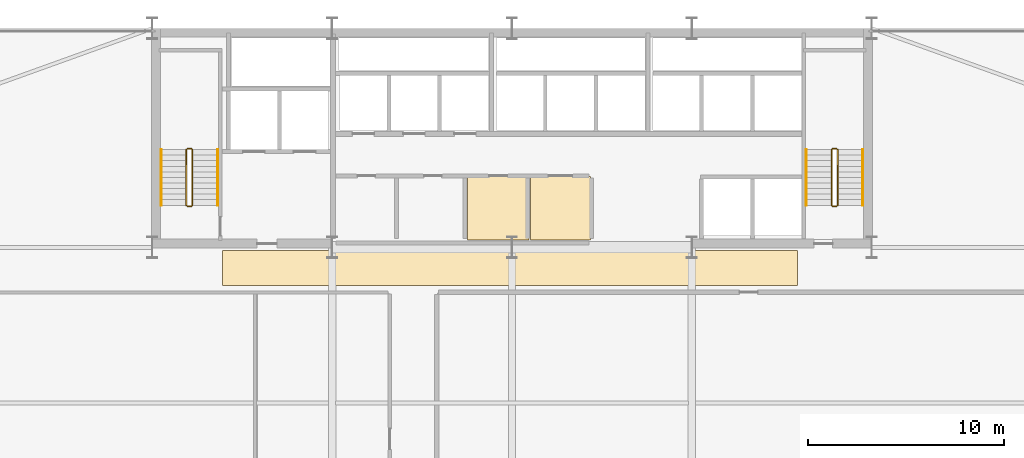
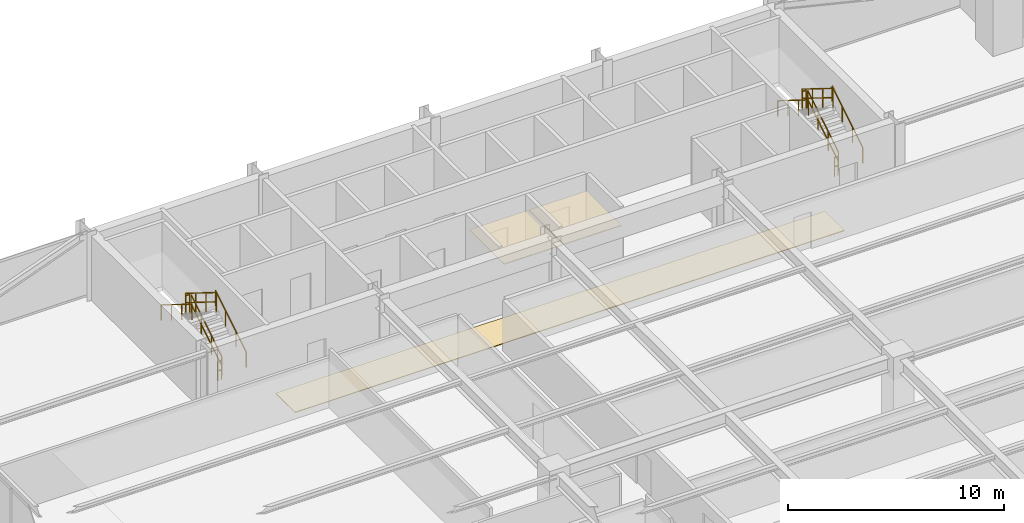
# One storey, part 29 of 29: 12 railings, 3 coverings.
"""IFC4 building model written with IfcOpenShell, lengths in metres."""

from ifc_helpers import new_model, si_unit, direction, frame, origin, origin_2d, place, context, subcontext, project, spatial, polyline, rectangle, outline, extrude, material, layer, layer_set, type_object, element, save


model = new_model("IFC4")

# Units and contexts
model_context = context("Model", 3, precision=1e-05, world=origin(), true_north=direction((0.0, 1.0)))
body_context = subcontext(model_context, "Body", "Model", "MODEL_VIEW")
ifc_project = project(units=[si_unit("LENGTHUNIT", "METRE"), si_unit("AREAUNIT", "SQUARE_METRE"), si_unit("VOLUMEUNIT", "CUBIC_METRE"), si_unit("PLANEANGLEUNIT", "RADIAN"), si_unit("MASSUNIT", "GRAM", prefix="KILO")], contexts=[model_context])

# Site, building, storey
site_placement = place(None, origin())
site = spatial("IfcSite", under=ifc_project, at=site_placement, CompositionType="ELEMENT")
building_placement = place(site_placement, origin())
building = spatial("IfcBuilding", under=site, at=building_placement, Name="Varnel Quay Broadcast Tower", CompositionType="ELEMENT")
storey_placement = place(building_placement, frame((0.0, 0.0, 74.39990234375)))
storey = spatial("IfcBuildingStorey", under=building, at=storey_placement, Name="L17", CompositionType="ELEMENT", Elevation=74.39990234375)

# Coverings
ifc_material_1 = material(Name="Micro-Perforated Acoustic Ceiling Tile")
ifc_layer_1 = layer(ifc_material_1, 0.0400390625, Name="Micro-Perforated Acoustic Ceiling Tile")
ifc_layer_set_1 = layer_set([ifc_layer_1], Name="Micro-Perforated Acoustic Ceiling Tile")
covering_type_1 = type_object("IfcCoveringType", Name="Cov_AcousticCeiling", PredefinedType="CEILING", material=ifc_layer_set_1)
covering_1_placement = place(storey_placement, frame((0.0, 0.0, 2.580078125)))
element("IfcCovering", 1, at=covering_1_placement, inside=storey, type_object=covering_type_1, Name="L17 Broadcast First-Aid & Quiet Room Acoustic Ceiling", PredefinedType="CEILING", context=body_context, shape_type="SweptSolid", body=[
    extrude(outline(polyline([(31.735107421875, 35.985107421875), (34.864990234375, 35.985107421875), (34.864990234375, 39.215087890625), (31.735107421875, 39.215087890625), (31.735107421875, 35.985107421875)])), origin(), (0.0, 0.0, 1.0), 0.0400390625),
])
covering_2_placement = place(storey_placement, frame((0.0, 0.0, 2.580078125)))
element("IfcCovering", 2, at=covering_2_placement, inside=storey, type_object=covering_type_1, Name="L17 Zone Lighting Dimmer Room Acoustic Ceiling", PredefinedType="CEILING", context=body_context, shape_type="SweptSolid", body=[
    extrude(outline(polyline([(34.93505859375, 35.985107421875), (38.014892578125, 35.985107421875), (38.014892578125, 39.215087890625), (34.93505859375, 39.215087890625), (34.93505859375, 35.985107421875)])), origin(), (0.0, 0.0, 1.0), 0.0400390625),
])
ifc_material_2 = material(Name="Polished Terrazzo & Broadcast Raised Flooring")
ifc_layer_2 = layer(ifc_material_2, 0.0400390625, Name="Polished Terrazzo & Broadcast Raised Flooring")
ifc_layer_set_2 = layer_set([ifc_layer_2], Name="Polished Terrazzo & Broadcast Raised Flooring")
covering_type_2 = type_object("IfcCoveringType", Name="Cov_TerrazzoFloor", PredefinedType="FLOORING", material=ifc_layer_set_2)
covering_3_placement = place(storey_placement, origin())
element("IfcCovering", 3, at=covering_3_placement, inside=storey, type_object=covering_type_2, Name="L17 Corridor Terrazzo Flooring", PredefinedType="FLOORING", context=body_context, shape_type="SweptSolid", body=[
    extrude(outline(polyline([(19.199951171875, 33.64990234375), (48.60009765625, 33.64990234375), (48.60009765625, 35.449951171875), (19.199951171875, 35.449951171875), (19.199951171875, 33.64990234375)])), origin(), (0.0, 0.0, 1.0), 0.0400390625),
])

# Railings
ifc_material_3 = material(Name="Painted Steel Guard and Handrail CSA G40.21 350W", Category="steel")
railing_type_1 = type_object("IfcRailingType", Name="Rail_StairGuard1100", PredefinedType="GUARDRAIL", material=ifc_material_3)
railing_1_placement = place(storey_placement, frame((17.64990234375, 37.75, 0.177490234375)))
element("IfcRailing", 4, at=railing_1_placement, inside=storey, type_object=railing_type_1, Name="L17 ST-01 stair guard 1", PredefinedType="GUARDRAIL", context=body_context, shape_type="SweptSolid", body=[
    extrude(rectangle(XDim=0.048095703125, YDim=0.048095703125, at=origin_2d()), frame((0.0, 0.0, 1.076171875), z_axis=(0.0, 0.849148672731, 0.528153890072), x_axis=(-1.0, 0.0, 0.0)), (0.0, 0.0, 1.0), 3.3564453125),
    extrude(rectangle(XDim=0.048095703125, YDim=0.048095703125, at=origin_2d()), frame((0.0, 0.0, 0.550048828125), z_axis=(0.0, 0.849148672731, 0.528153890072), x_axis=(-1.0, 0.0, 0.0)), (0.0, 0.0, 1.0), 3.3564453125),
    extrude(rectangle(XDim=0.0419921875, YDim=0.0419921875, at=origin_2d()), origin(), (0.0, 0.0, 1.0), 1.052001953125),
    extrude(rectangle(XDim=0.0419921875, YDim=0.0419921875, at=origin_2d()), frame((0.0, 0.949951171875, 0.5908203125)), (0.0, 0.0, 1.0), 1.052001953125),
    extrude(rectangle(XDim=0.0419921875, YDim=0.0419921875, at=origin_2d()), frame((0.0, 1.900146484375, 1.181884765625)), (0.0, 0.0, 1.0), 1.052001953125),
    extrude(rectangle(XDim=0.0419921875, YDim=0.0419921875, at=origin_2d()), frame((0.0, 2.85009765625, 1.772705078125)), (0.0, 0.0, 1.0), 1.052001953125),
])
railing_2_placement = place(storey_placement, frame((17.60009765625, 40.64990234375, 1.9501953125)))
element("IfcRailing", 5, at=railing_2_placement, inside=storey, type_object=railing_type_1, Name="L17 ST-01 stair guard 2", PredefinedType="GUARDRAIL", context=body_context, shape_type="SweptSolid", body=[
    extrude(rectangle(XDim=0.048095703125, YDim=0.048095703125, at=origin_2d()), frame((0.0, 0.0, 1.076171875), z_axis=(-1.0, 0.0, 0.0), x_axis=(0.0, -1.0, 0.0)), (0.0, 0.0, 1.0), 0.2001953125),
    extrude(rectangle(XDim=0.048095703125, YDim=0.048095703125, at=origin_2d()), frame((0.0, 0.0, 0.550048828125), z_axis=(-1.0, 0.0, 0.0), x_axis=(0.0, -1.0, 0.0)), (0.0, 0.0, 1.0), 0.2001953125),
    extrude(rectangle(XDim=0.0419921875, YDim=0.0419921875, at=origin_2d()), origin(), (0.0, 0.0, 1.0), 1.052001953125),
    extrude(rectangle(XDim=0.0419921875, YDim=0.0419921875, at=origin_2d()), frame((-0.2001953125, 0.0, 0.0)), (0.0, 0.0, 1.0), 1.052001953125),
])
railing_3_placement = place(storey_placement, frame((17.35009765625, 40.60009765625, 2.12744140625)))
element("IfcRailing", 6, at=railing_3_placement, inside=storey, type_object=railing_type_1, Name="L17 ST-01 stair guard 3", PredefinedType="GUARDRAIL", context=body_context, shape_type="SweptSolid", body=[
    extrude(rectangle(XDim=0.048095703125, YDim=0.048095703125, at=origin_2d()), frame((0.0, 0.0, 1.076171875), z_axis=(0.0, -0.849148672731, 0.528153890072), x_axis=(1.0, 0.0, 0.0)), (0.0, 0.0, 1.0), 3.3564453125),
    extrude(rectangle(XDim=0.048095703125, YDim=0.048095703125, at=origin_2d()), frame((0.0, 0.0, 0.550048828125), z_axis=(0.0, -0.849148672731, 0.528153890072), x_axis=(1.0, 0.0, 0.0)), (0.0, 0.0, 1.0), 3.3564453125),
    extrude(rectangle(XDim=0.0419921875, YDim=0.0419921875, at=origin_2d()), origin(), (0.0, 0.0, 1.0), 1.052001953125),
    extrude(rectangle(XDim=0.0419921875, YDim=0.0419921875, at=origin_2d()), frame((0.0, -0.949951171875, 0.5908203125)), (0.0, 0.0, 1.0), 1.052001953125),
    extrude(rectangle(XDim=0.0419921875, YDim=0.0419921875, at=origin_2d()), frame((0.0, -1.900146484375, 1.181884765625)), (0.0, 0.0, 1.0), 1.052001953125),
    extrude(rectangle(XDim=0.0419921875, YDim=0.0419921875, at=origin_2d()), frame((0.0, -2.85009765625, 1.772705078125)), (0.0, 0.0, 1.0), 1.052001953125),
])
railing_4_placement = place(storey_placement, frame((17.60009765625, 37.699951171875, 0.0)))
element("IfcRailing", 7, at=railing_4_placement, inside=storey, type_object=railing_type_1, Name="L17 ST-01 stair guard 4", PredefinedType="GUARDRAIL", context=body_context, shape_type="SweptSolid", body=[
    extrude(rectangle(XDim=0.048095703125, YDim=0.048095703125, at=origin_2d()), frame((0.0, 0.0, 1.076171875), z_axis=(-1.0, 0.0, 0.0), x_axis=(0.0, -1.0, 0.0)), (0.0, 0.0, 1.0), 0.2001953125),
    extrude(rectangle(XDim=0.048095703125, YDim=0.048095703125, at=origin_2d()), frame((0.0, 0.0, 0.550048828125), z_axis=(-1.0, 0.0, 0.0), x_axis=(0.0, -1.0, 0.0)), (0.0, 0.0, 1.0), 0.2001953125),
    extrude(rectangle(XDim=0.0419921875, YDim=0.0419921875, at=origin_2d()), origin(), (0.0, 0.0, 1.0), 1.052001953125),
    extrude(rectangle(XDim=0.0419921875, YDim=0.0419921875, at=origin_2d()), frame((-0.2001953125, 0.0, 0.0)), (0.0, 0.0, 1.0), 1.052001953125),
])
railing_5_placement = place(storey_placement, frame((50.64990234375, 37.75, 0.177490234375)))
element("IfcRailing", 8, at=railing_5_placement, inside=storey, type_object=railing_type_1, Name="L17 ST-02 stair guard 1", PredefinedType="GUARDRAIL", context=body_context, shape_type="SweptSolid", body=[
    extrude(rectangle(XDim=0.048095703125, YDim=0.048095703125, at=origin_2d()), frame((0.0, 0.0, 1.076171875), z_axis=(0.0, 0.849148672731, 0.528153890072), x_axis=(-1.0, 0.0, 0.0)), (0.0, 0.0, 1.0), 3.3564453125),
    extrude(rectangle(XDim=0.048095703125, YDim=0.048095703125, at=origin_2d()), frame((0.0, 0.0, 0.550048828125), z_axis=(0.0, 0.849148672731, 0.528153890072), x_axis=(-1.0, 0.0, 0.0)), (0.0, 0.0, 1.0), 3.3564453125),
    extrude(rectangle(XDim=0.0419921875, YDim=0.0419921875, at=origin_2d()), origin(), (0.0, 0.0, 1.0), 1.052001953125),
    extrude(rectangle(XDim=0.0419921875, YDim=0.0419921875, at=origin_2d()), frame((0.0, 0.949951171875, 0.5908203125)), (0.0, 0.0, 1.0), 1.052001953125),
    extrude(rectangle(XDim=0.0419921875, YDim=0.0419921875, at=origin_2d()), frame((0.0, 1.900146484375, 1.181884765625)), (0.0, 0.0, 1.0), 1.052001953125),
    extrude(rectangle(XDim=0.0419921875, YDim=0.0419921875, at=origin_2d()), frame((0.0, 2.85009765625, 1.772705078125)), (0.0, 0.0, 1.0), 1.052001953125),
])
railing_6_placement = place(storey_placement, frame((50.60009765625, 40.64990234375, 1.9501953125)))
element("IfcRailing", 9, at=railing_6_placement, inside=storey, type_object=railing_type_1, Name="L17 ST-02 stair guard 2", PredefinedType="GUARDRAIL", context=body_context, shape_type="SweptSolid", body=[
    extrude(rectangle(XDim=0.048095703125, YDim=0.048095703125, at=origin_2d()), frame((0.0, 0.0, 1.076171875), z_axis=(-1.0, 0.0, 0.0), x_axis=(0.0, -1.0, 0.0)), (0.0, 0.0, 1.0), 0.2001953125),
    extrude(rectangle(XDim=0.048095703125, YDim=0.048095703125, at=origin_2d()), frame((0.0, 0.0, 0.550048828125), z_axis=(-1.0, 0.0, 0.0), x_axis=(0.0, -1.0, 0.0)), (0.0, 0.0, 1.0), 0.2001953125),
    extrude(rectangle(XDim=0.0419921875, YDim=0.0419921875, at=origin_2d()), origin(), (0.0, 0.0, 1.0), 1.052001953125),
    extrude(rectangle(XDim=0.0419921875, YDim=0.0419921875, at=origin_2d()), frame((-0.2001953125, 0.0, 0.0)), (0.0, 0.0, 1.0), 1.052001953125),
])
railing_7_placement = place(storey_placement, frame((50.35009765625, 40.60009765625, 2.12744140625)))
element("IfcRailing", 10, at=railing_7_placement, inside=storey, type_object=railing_type_1, Name="L17 ST-02 stair guard 3", PredefinedType="GUARDRAIL", context=body_context, shape_type="SweptSolid", body=[
    extrude(rectangle(XDim=0.048095703125, YDim=0.048095703125, at=origin_2d()), frame((0.0, 0.0, 1.076171875), z_axis=(0.0, -0.849148672731, 0.528153890072), x_axis=(1.0, 0.0, 0.0)), (0.0, 0.0, 1.0), 3.3564453125),
    extrude(rectangle(XDim=0.048095703125, YDim=0.048095703125, at=origin_2d()), frame((0.0, 0.0, 0.550048828125), z_axis=(0.0, -0.849148672731, 0.528153890072), x_axis=(1.0, 0.0, 0.0)), (0.0, 0.0, 1.0), 3.3564453125),
    extrude(rectangle(XDim=0.0419921875, YDim=0.0419921875, at=origin_2d()), origin(), (0.0, 0.0, 1.0), 1.052001953125),
    extrude(rectangle(XDim=0.0419921875, YDim=0.0419921875, at=origin_2d()), frame((0.0, -0.949951171875, 0.5908203125)), (0.0, 0.0, 1.0), 1.052001953125),
    extrude(rectangle(XDim=0.0419921875, YDim=0.0419921875, at=origin_2d()), frame((0.0, -1.900146484375, 1.181884765625)), (0.0, 0.0, 1.0), 1.052001953125),
    extrude(rectangle(XDim=0.0419921875, YDim=0.0419921875, at=origin_2d()), frame((0.0, -2.85009765625, 1.772705078125)), (0.0, 0.0, 1.0), 1.052001953125),
])
railing_8_placement = place(storey_placement, frame((50.60009765625, 37.699951171875, 0.0)))
element("IfcRailing", 11, at=railing_8_placement, inside=storey, type_object=railing_type_1, Name="L17 ST-02 stair guard 4", PredefinedType="GUARDRAIL", context=body_context, shape_type="SweptSolid", body=[
    extrude(rectangle(XDim=0.048095703125, YDim=0.048095703125, at=origin_2d()), frame((0.0, 0.0, 1.076171875), z_axis=(-1.0, 0.0, 0.0), x_axis=(0.0, -1.0, 0.0)), (0.0, 0.0, 1.0), 0.2001953125),
    extrude(rectangle(XDim=0.048095703125, YDim=0.048095703125, at=origin_2d()), frame((0.0, 0.0, 0.550048828125), z_axis=(-1.0, 0.0, 0.0), x_axis=(0.0, -1.0, 0.0)), (0.0, 0.0, 1.0), 0.2001953125),
    extrude(rectangle(XDim=0.0419921875, YDim=0.0419921875, at=origin_2d()), origin(), (0.0, 0.0, 1.0), 1.052001953125),
    extrude(rectangle(XDim=0.0419921875, YDim=0.0419921875, at=origin_2d()), frame((-0.2001953125, 0.0, 0.0)), (0.0, 0.0, 1.0), 1.052001953125),
])
railing_type_2 = type_object("IfcRailingType", Name="Rail_StairHandrail900", PredefinedType="HANDRAIL", material=ifc_material_3)
railing_9_placement = place(storey_placement, frame((18.949951171875, 37.75, 0.177490234375)))
element("IfcRailing", 12, at=railing_9_placement, inside=storey, type_object=railing_type_2, Name="L17 ST-01 stair handrail 1", PredefinedType="HANDRAIL", context=body_context, shape_type="SweptSolid", body=[
    extrude(rectangle(XDim=0.048095703125, YDim=0.048095703125, at=origin_2d()), frame((0.0, 0.0, 0.8759765625), z_axis=(0.0, 0.849148672731, 0.528153890072), x_axis=(-1.0, 0.0, 0.0)), (0.0, 0.0, 1.0), 3.3564453125),
    extrude(rectangle(XDim=0.0419921875, YDim=0.0419921875, at=origin_2d()), origin(), (0.0, 0.0, 1.0), 0.851806640625),
    extrude(rectangle(XDim=0.0419921875, YDim=0.0419921875, at=origin_2d()), frame((0.0, 0.949951171875, 0.5908203125)), (0.0, 0.0, 1.0), 0.851806640625),
    extrude(rectangle(XDim=0.0419921875, YDim=0.0419921875, at=origin_2d()), frame((0.0, 1.900146484375, 1.181884765625)), (0.0, 0.0, 1.0), 0.851806640625),
    extrude(rectangle(XDim=0.0419921875, YDim=0.0419921875, at=origin_2d()), frame((0.0, 2.85009765625, 1.772705078125)), (0.0, 0.0, 1.0), 0.851806640625),
])
railing_10_placement = place(storey_placement, frame((16.050048828125, 40.60009765625, 2.12744140625)))
element("IfcRailing", 13, at=railing_10_placement, inside=storey, type_object=railing_type_2, Name="L17 ST-01 stair handrail 2", PredefinedType="HANDRAIL", context=body_context, shape_type="SweptSolid", body=[
    extrude(rectangle(XDim=0.048095703125, YDim=0.048095703125, at=origin_2d()), frame((0.0, 0.0, 0.8759765625), z_axis=(0.0, -0.849148672731, 0.528153890072), x_axis=(1.0, 0.0, 0.0)), (0.0, 0.0, 1.0), 3.3564453125),
    extrude(rectangle(XDim=0.0419921875, YDim=0.0419921875, at=origin_2d()), origin(), (0.0, 0.0, 1.0), 0.851806640625),
    extrude(rectangle(XDim=0.0419921875, YDim=0.0419921875, at=origin_2d()), frame((0.0, -0.949951171875, 0.5908203125)), (0.0, 0.0, 1.0), 0.851806640625),
    extrude(rectangle(XDim=0.0419921875, YDim=0.0419921875, at=origin_2d()), frame((0.0, -1.900146484375, 1.181884765625)), (0.0, 0.0, 1.0), 0.851806640625),
    extrude(rectangle(XDim=0.0419921875, YDim=0.0419921875, at=origin_2d()), frame((0.0, -2.85009765625, 1.772705078125)), (0.0, 0.0, 1.0), 0.851806640625),
])
railing_11_placement = place(storey_placement, frame((51.949951171875, 37.75, 0.177490234375)))
element("IfcRailing", 14, at=railing_11_placement, inside=storey, type_object=railing_type_2, Name="L17 ST-02 stair handrail 1", PredefinedType="HANDRAIL", context=body_context, shape_type="SweptSolid", body=[
    extrude(rectangle(XDim=0.048095703125, YDim=0.048095703125, at=origin_2d()), frame((0.0, 0.0, 0.8759765625), z_axis=(0.0, 0.849148672731, 0.528153890072), x_axis=(-1.0, 0.0, 0.0)), (0.0, 0.0, 1.0), 3.3564453125),
    extrude(rectangle(XDim=0.0419921875, YDim=0.0419921875, at=origin_2d()), origin(), (0.0, 0.0, 1.0), 0.851806640625),
    extrude(rectangle(XDim=0.0419921875, YDim=0.0419921875, at=origin_2d()), frame((0.0, 0.949951171875, 0.5908203125)), (0.0, 0.0, 1.0), 0.851806640625),
    extrude(rectangle(XDim=0.0419921875, YDim=0.0419921875, at=origin_2d()), frame((0.0, 1.900146484375, 1.181884765625)), (0.0, 0.0, 1.0), 0.851806640625),
    extrude(rectangle(XDim=0.0419921875, YDim=0.0419921875, at=origin_2d()), frame((0.0, 2.85009765625, 1.772705078125)), (0.0, 0.0, 1.0), 0.851806640625),
])
railing_12_placement = place(storey_placement, frame((49.050048828125, 40.60009765625, 2.12744140625)))
element("IfcRailing", 15, at=railing_12_placement, inside=storey, type_object=railing_type_2, Name="L17 ST-02 stair handrail 2", PredefinedType="HANDRAIL", context=body_context, shape_type="SweptSolid", body=[
    extrude(rectangle(XDim=0.048095703125, YDim=0.048095703125, at=origin_2d()), frame((0.0, 0.0, 0.8759765625), z_axis=(0.0, -0.849148672731, 0.528153890072), x_axis=(1.0, 0.0, 0.0)), (0.0, 0.0, 1.0), 3.3564453125),
    extrude(rectangle(XDim=0.0419921875, YDim=0.0419921875, at=origin_2d()), origin(), (0.0, 0.0, 1.0), 0.851806640625),
    extrude(rectangle(XDim=0.0419921875, YDim=0.0419921875, at=origin_2d()), frame((0.0, -0.949951171875, 0.5908203125)), (0.0, 0.0, 1.0), 0.851806640625),
    extrude(rectangle(XDim=0.0419921875, YDim=0.0419921875, at=origin_2d()), frame((0.0, -1.900146484375, 1.181884765625)), (0.0, 0.0, 1.0), 0.851806640625),
    extrude(rectangle(XDim=0.0419921875, YDim=0.0419921875, at=origin_2d()), frame((0.0, -2.85009765625, 1.772705078125)), (0.0, 0.0, 1.0), 0.851806640625),
])

save(model, "model.ifc")
